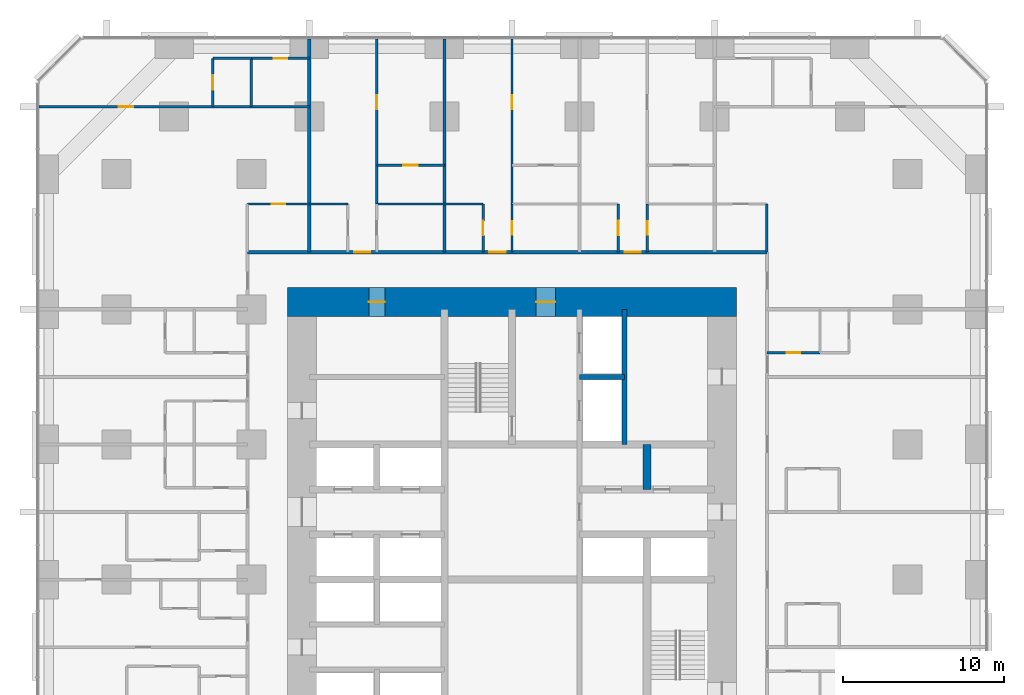
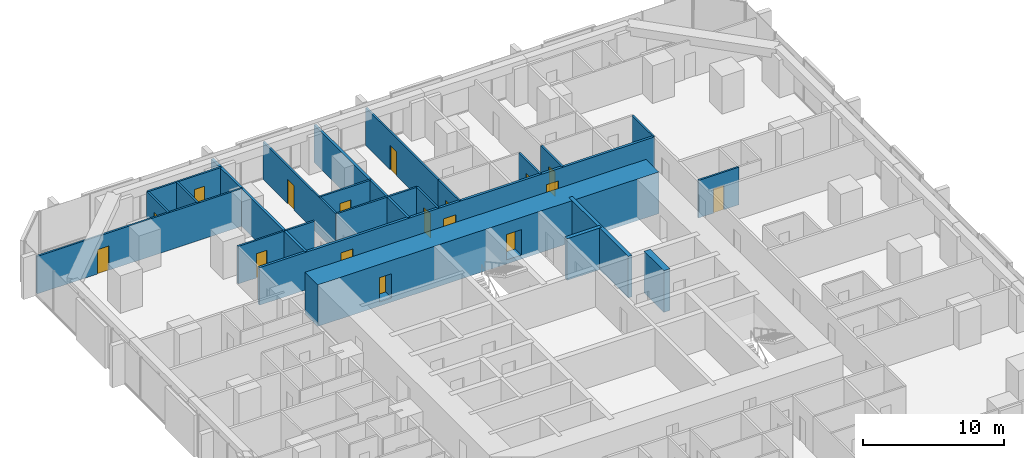
# One storey, part 15 of 17: 24 walls, 17 doors, 17 openings.
"""IFC4 building model written with IfcOpenShell, lengths in metres."""

from ifc_helpers import new_model, si_unit, direction, frame, frame_2d, origin, place, context, subcontext, project, spatial, rectangle, extrude, material, layer, layer_set, type_object, element, fill, save


model = new_model("IFC4")

# Units and contexts
model_context = context("Model", 3, precision=1e-05, world=origin(), true_north=direction((0.0, 1.0)))
body_context = subcontext(model_context, "Body", "Model", "MODEL_VIEW")
ifc_project = project(units=[si_unit("LENGTHUNIT", "METRE"), si_unit("AREAUNIT", "SQUARE_METRE"), si_unit("VOLUMEUNIT", "CUBIC_METRE"), si_unit("PLANEANGLEUNIT", "RADIAN"), si_unit("MASSUNIT", "GRAM", prefix="KILO")], contexts=[model_context])

# Site, building, storey
site_placement = place(None, origin())
site = spatial("IfcSite", under=ifc_project, at=site_placement, CompositionType="ELEMENT")
building_placement = place(site_placement, origin())
building = spatial("IfcBuilding", under=site, at=building_placement, Name="Dunama Terrace Hotel", CompositionType="ELEMENT")
storey_placement = place(building_placement, frame((0.0, 0.0, 48.60009765625)))
storey = spatial("IfcBuildingStorey", under=building, at=storey_placement, Name="L11", CompositionType="ELEMENT", Elevation=48.60009765625)

# Wall, opening, door
ifc_material_1 = material(Name="Gypsum board partition", Category="masonry")
ifc_layer_1 = layer(ifc_material_1, 0.14990234375)
ifc_layer_set_1 = layer_set([ifc_layer_1], Name="Bathroom partition 150")
wall_type_1 = type_object("IfcWallType", Name="Bathroom partition 150", PredefinedType="PARTITIONING", material=ifc_layer_set_1)
wall_1_placement = place(storey_placement, frame((29.39990234375, 45.550048828125, 0.0), z_axis=(0.0, 0.0, 1.0), x_axis=(0.0, 1.0, 0.0)))
wall_1 = element("IfcWall", 1, at=wall_1_placement, inside=storey, type_object=wall_type_1, Name="Bathroom partition 150 L11", PredefinedType="PARTITIONING", context=body_context, shape_type="SweptSolid", body=[
    extrude(rectangle(XDim=3.0, YDim=0.14990234375, at=frame_2d((1.5, 0.0))), origin(), (0.0, 0.0, 1.0), 3.25),
])
opening_1_placement = place(wall_1_placement, frame((1.074951171875, 0.0, 0.0)))
opening_1 = element("IfcOpeningElement", 2, at=opening_1_placement, cuts=wall_1, Name="Opening L10-11-041", PredefinedType="OPENING", context=body_context, shape_type="SweptSolid", body=[
    extrude(rectangle(XDim=0.85009765625, YDim=2.10009765625, at=frame_2d((0.425048828125, 1.050048828125))), frame((0.0, 0.0849609375, 0.0), z_axis=(0.0, -1.0, 0.0), x_axis=(1.0, 0.0, 0.0)), (0.0, 0.0, 1.0), 0.169921875),
])
ifc_material_2 = material(Name="Timber door with steel frame", Category="steel")
door_type_1 = type_object("IfcDoorType", Name="Bathroom door 850", OperationType="SINGLE_SWING_LEFT", PredefinedType="DOOR", material=ifc_material_2)
door_1_placement = place(opening_1_placement, frame((0.85009765625, 0.0, 0.0), z_axis=(0.0, 0.0, 1.0), x_axis=(-1.0, 0.0, 0.0)))
door_1 = element("IfcDoor", 3, at=door_1_placement, inside=storey, type_object=door_type_1, Name="Door to residence bathroom L10-11-041, type D2", OperationType="SINGLE_SWING_RIGHT", OverallHeight=2.10009765625, OverallWidth=0.85009765625, PredefinedType="DOOR", context=body_context, shape_type="SweptSolid", body=[
    extrude(rectangle(XDim=0.85009765625, YDim=2.10009765625, at=frame_2d((0.425048828125, 1.050048828125))), frame((0.0, 0.025146484375, 0.0), z_axis=(0.0, -1.0, 0.0), x_axis=(1.0, 0.0, 0.0)), (0.0, 0.0, 1.0), 0.050048828125),
])
fill(opening_1, door_1)

wall_2_placement = place(storey_placement, frame((37.800048828125, 45.550048828125, 0.0), z_axis=(0.0, 0.0, 1.0), x_axis=(0.0, 1.0, 0.0)))
wall_2 = element("IfcWall", 4, at=wall_2_placement, inside=storey, type_object=wall_type_1, Name="Bathroom partition 150 L11", PredefinedType="PARTITIONING", context=body_context, shape_type="SweptSolid", body=[
    extrude(rectangle(XDim=3.0, YDim=0.14990234375, at=frame_2d((1.5, 0.0))), origin(), (0.0, 0.0, 1.0), 3.25),
])
opening_2_placement = place(wall_2_placement, frame((1.074951171875, 0.0, 0.0)))
opening_2 = element("IfcOpeningElement", 5, at=opening_2_placement, cuts=wall_2, Name="Opening L10-11-046", PredefinedType="OPENING", context=body_context, shape_type="SweptSolid", body=[
    extrude(rectangle(XDim=0.85009765625, YDim=2.10009765625, at=frame_2d((0.425048828125, 1.050048828125))), frame((0.0, 0.0849609375, 0.0), z_axis=(0.0, -1.0, 0.0), x_axis=(1.0, 0.0, 0.0)), (0.0, 0.0, 1.0), 0.169921875),
])
door_2_placement = place(opening_2_placement, frame((0.85009765625, 0.0, 0.0), z_axis=(0.0, 0.0, 1.0), x_axis=(-1.0, 0.0, 0.0)))
door_2 = element("IfcDoor", 6, at=door_2_placement, inside=storey, type_object=door_type_1, Name="Door to residence bathroom L10-11-046, type D2", OperationType="SINGLE_SWING_RIGHT", OverallHeight=2.10009765625, OverallWidth=0.85009765625, PredefinedType="DOOR", context=body_context, shape_type="SweptSolid", body=[
    extrude(rectangle(XDim=0.85009765625, YDim=2.10009765625, at=frame_2d((0.425048828125, 1.050048828125))), frame((0.0, 0.025146484375, 0.0), z_axis=(0.0, -1.0, 0.0), x_axis=(1.0, 0.0, 0.0)), (0.0, 0.0, 1.0), 0.050048828125),
])
fill(opening_2, door_2)

# Wall
wall_3_placement = place(storey_placement, frame((45.25, 45.550048828125, 0.0), z_axis=(0.0, 0.0, 1.0), x_axis=(0.0, 1.0, 0.0)))
element("IfcWall", 7, at=wall_3_placement, inside=storey, type_object=wall_type_1, Name="Bathroom partition 150 L11", PredefinedType="PARTITIONING", context=body_context, shape_type="SweptSolid", body=[
    extrude(rectangle(XDim=3.0, YDim=0.14990234375, at=frame_2d((1.5, 0.0))), origin(), (0.0, 0.0, 1.0), 3.25),
])

# Wall, opening, door
wall_4_placement = place(storey_placement, frame((45.25, 39.300048828125, 0.0), z_axis=(0.0, 0.0, 1.0), x_axis=(1.0, 0.0, 0.0)))
wall_4 = element("IfcWall", 8, at=wall_4_placement, inside=storey, type_object=wall_type_1, Name="Bathroom partition 150 L11", PredefinedType="PARTITIONING", context=body_context, shape_type="SweptSolid", body=[
    extrude(rectangle(XDim=3.300048828125, YDim=0.14990234375, at=frame_2d((1.64990234375, 0.0))), origin(), (0.0, 0.0, 1.0), 3.25),
])
opening_3_placement = place(wall_4_placement, frame((1.22509765625, 0.0, 0.0)))
opening_3 = element("IfcOpeningElement", 9, at=opening_3_placement, cuts=wall_4, Name="Opening L10-11-032", PredefinedType="OPENING", context=body_context, shape_type="SweptSolid", body=[
    extrude(rectangle(XDim=0.85009765625, YDim=2.10009765625, at=frame_2d((0.425048828125, 1.050048828125))), frame((0.0, 0.0849609375, 0.0), z_axis=(0.0, -1.0, 0.0), x_axis=(1.0, 0.0, 0.0)), (0.0, 0.0, 1.0), 0.169921875),
])
door_3_placement = place(opening_3_placement, origin())
door_3 = element("IfcDoor", 10, at=door_3_placement, inside=storey, type_object=door_type_1, Name="Door to en-suite bathroom L10-11-032, type D2", OperationType="SINGLE_SWING_LEFT", OverallHeight=2.10009765625, OverallWidth=0.85009765625, PredefinedType="DOOR", context=body_context, shape_type="SweptSolid", body=[
    extrude(rectangle(XDim=0.85009765625, YDim=2.10009765625, at=frame_2d((0.425048828125, 1.050048828125))), frame((0.0, 0.02490234375, 0.0), z_axis=(0.0, -1.0, 0.0), x_axis=(1.0, 0.0, 0.0)), (0.0, 0.0, 1.0), 0.050048828125),
])
fill(opening_3, door_3)

wall_5_placement = place(storey_placement, frame((12.949951171875, 48.550048828125, 0.0), z_axis=(0.0, 0.0, 1.0), x_axis=(1.0, 0.0, 0.0)))
wall_5 = element("IfcWall", 11, at=wall_5_placement, inside=storey, type_object=wall_type_1, Name="Bathroom partition 150 L11", PredefinedType="PARTITIONING", context=body_context, shape_type="SweptSolid", body=[
    extrude(rectangle(XDim=3.85009765625, YDim=0.14990234375, at=frame_2d((1.925048828125, 0.0))), origin(), (0.0, 0.0, 1.0), 3.25),
])
opening_4_placement = place(wall_5_placement, frame((1.5, 0.0, 0.0)))
opening_4 = element("IfcOpeningElement", 12, at=opening_4_placement, cuts=wall_5, Name="Opening L10-11-083", PredefinedType="OPENING", context=body_context, shape_type="SweptSolid", body=[
    extrude(rectangle(XDim=0.85009765625, YDim=2.10009765625, at=frame_2d((0.425048828125, 1.050048828125))), frame((0.0, 0.0849609375, 0.0), z_axis=(0.0, -1.0, 0.0), x_axis=(1.0, 0.0, 0.0)), (0.0, 0.0, 1.0), 0.169921875),
])
door_4_placement = place(opening_4_placement, frame((0.85009765625, 0.0, 0.0), z_axis=(0.0, 0.0, 1.0), x_axis=(-1.0, 0.0, 0.0)))
door_4 = element("IfcDoor", 13, at=door_4_placement, inside=storey, type_object=door_type_1, Name="Door to powder room L10-11-083, type D2", OperationType="SINGLE_SWING_RIGHT", OverallHeight=2.10009765625, OverallWidth=0.85009765625, PredefinedType="DOOR", context=body_context, shape_type="SweptSolid", body=[
    extrude(rectangle(XDim=0.85009765625, YDim=2.10009765625, at=frame_2d((0.425048828125, 1.050048828125))), frame((0.0, 0.025146484375, 0.0), z_axis=(0.0, -1.0, 0.0), x_axis=(1.0, 0.0, 0.0)), (0.0, 0.0, 1.0), 0.050048828125),
])
fill(opening_4, door_4)

wall_6_placement = place(storey_placement, frame((13.199951171875, 57.60009765625, 0.0), z_axis=(0.0, 0.0, 1.0), x_axis=(1.0, 0.0, 0.0)))
wall_6 = element("IfcWall", 14, at=wall_6_placement, inside=storey, type_object=wall_type_1, Name="Bathroom partition 150 L11", PredefinedType="PARTITIONING", context=body_context, shape_type="SweptSolid", body=[
    extrude(rectangle(XDim=3.60009765625, YDim=0.14990234375, at=frame_2d((1.800048828125, 0.0))), origin(), (0.0, 0.0, 1.0), 3.25),
])
opening_5_placement = place(wall_6_placement, frame((1.375, 0.0, 0.0)))
opening_5 = element("IfcOpeningElement", 15, at=opening_5_placement, cuts=wall_6, Name="Opening L10-11-085", PredefinedType="OPENING", context=body_context, shape_type="SweptSolid", body=[
    extrude(rectangle(XDim=0.85009765625, YDim=2.10009765625, at=frame_2d((0.425048828125, 1.050048828125))), frame((0.0, 0.0849609375, 0.0), z_axis=(0.0, -1.0, 0.0), x_axis=(1.0, 0.0, 0.0)), (0.0, 0.0, 1.0), 0.169921875),
])
door_5_placement = place(opening_5_placement, frame((0.85009765625, 0.0, 0.0), z_axis=(0.0, 0.0, 1.0), x_axis=(-1.0, 0.0, 0.0)))
door_5 = element("IfcDoor", 16, at=door_5_placement, inside=storey, type_object=door_type_1, Name="Door to en-suite bathroom L10-11-085, type D2", OperationType="SINGLE_SWING_LEFT", OverallHeight=2.10009765625, OverallWidth=0.85009765625, PredefinedType="DOOR", context=body_context, shape_type="SweptSolid", body=[
    extrude(rectangle(XDim=0.85009765625, YDim=2.10009765625, at=frame_2d((0.425048828125, 1.050048828125))), frame((0.0, 0.025146484375, 0.0), z_axis=(0.0, -1.0, 0.0), x_axis=(1.0, 0.0, 0.0)), (0.0, 0.0, 1.0), 0.050048828125),
])
fill(opening_5, door_5)

# Walls
ifc_material_3 = material(Name="Concrete C50/60", Category="concrete")
ifc_layer_2 = layer(ifc_material_3, 0.300048828125)
ifc_layer_set_2 = layer_set([ifc_layer_2], Name="Core inner wall 300")
wall_type_2 = type_object("IfcWallType", Name="Core inner wall 300", PredefinedType="SHEAR", material=ifc_layer_set_2)
wall_7_placement = place(storey_placement, frame((36.39990234375, 33.60009765625, -0.35009765625), z_axis=(0.0, 0.0, 1.0), x_axis=(0.0, 1.0, 0.0)))
element("IfcWall", 17, at=wall_7_placement, inside=storey, type_object=wall_type_2, Name="Core inner wall 300 L11", PredefinedType="SHEAR", context=body_context, shape_type="SweptSolid", body=[
    extrude(rectangle(XDim=8.39990234375, YDim=0.300048828125, at=frame_2d((4.199951171875, 0.0))), origin(), (0.0, 0.0, 1.0), 3.60009765625),
])
wall_8_placement = place(storey_placement, frame((33.60009765625, 37.800048828125, -0.35009765625), z_axis=(0.0, 0.0, 1.0), x_axis=(1.0, 0.0, 0.0)))
element("IfcWall", 18, at=wall_8_placement, inside=storey, type_object=wall_type_2, Name="Core inner wall 300 L11", PredefinedType="SHEAR", context=body_context, shape_type="SweptSolid", body=[
    extrude(rectangle(XDim=2.7998046875, YDim=0.300048828125, at=frame_2d((1.39990234375, 0.0))), origin(), (0.0, 0.0, 1.0), 3.60009765625),
])
ifc_material_4 = material(Name="Concrete C50/60", Category="concrete")
ifc_layer_3 = layer(ifc_material_4, 0.5)
ifc_layer_set_3 = layer_set([ifc_layer_3], Name="Core inner wall 500")
wall_type_3 = type_object("IfcWallType", Name="Core inner wall 500", PredefinedType="SHEAR", material=ifc_layer_set_3)
wall_9_placement = place(storey_placement, frame((37.800048828125, 30.800048828125, -0.35009765625), z_axis=(0.0, 0.0, 1.0), x_axis=(0.0, 1.0, 0.0)))
element("IfcWall", 19, at=wall_9_placement, inside=storey, type_object=wall_type_3, Name="Core inner wall 500 L11", PredefinedType="SHEAR", context=body_context, shape_type="SweptSolid", body=[
    extrude(rectangle(XDim=2.800048828125, YDim=0.5, at=frame_2d((1.39990234375, 0.0))), origin(), (0.0, 0.0, 1.0), 3.60009765625),
])

# Wall, openings, doors
ifc_material_5 = material(Name="Concrete C60/75", Category="concrete")
ifc_layer_4 = layer(ifc_material_5, 1.800048828125)
ifc_layer_set_4 = layer_set([ifc_layer_4], Name="Core wall 1800")
wall_type_4 = type_object("IfcWallType", Name="Core wall 1800", PredefinedType="SHEAR", material=ifc_layer_set_4)
wall_10_placement = place(storey_placement, frame((43.35009765625, 42.449951171875, -0.35009765625), z_axis=(0.0, 0.0, 1.0), x_axis=(-1.0, 0.0, 0.0)))
wall_10 = element("IfcWall", 20, at=wall_10_placement, inside=storey, type_object=wall_type_4, Name="Core wall north L11", PredefinedType="SHEAR", context=body_context, shape_type="SweptSolid", body=[
    extrude(rectangle(XDim=27.900146484375, YDim=1.800048828125, at=frame_2d((13.9501953125, 0.0))), origin(), (0.0, 0.0, 1.0), 3.60009765625),
])
opening_6_placement = place(wall_10_placement, frame((21.85009765625, 0.0, 0.35009765625)))
opening_6 = element("IfcOpeningElement", 21, at=opening_6_placement, cuts=wall_10, Name="Opening L10-11-090", PredefinedType="OPENING", context=body_context, shape_type="SweptSolid", body=[
    extrude(rectangle(XDim=1.0, YDim=2.10009765625, at=frame_2d((0.5, 1.050048828125))), frame((0.0, 0.909912109375, 0.0), z_axis=(0.0, -1.0, 0.0), x_axis=(1.0, 0.0, 0.0)), (0.0, 0.0, 1.0), 1.820068359375),
])
opening_7_placement = place(wall_10_placement, frame((11.25, 0.0, 0.35009765625)))
opening_7 = element("IfcOpeningElement", 22, at=opening_7_placement, cuts=wall_10, Name="Opening L10-11-095", PredefinedType="OPENING", context=body_context, shape_type="SweptSolid", body=[
    extrude(rectangle(XDim=1.199951171875, YDim=2.199951171875, at=frame_2d((0.60009765625, 1.10009765625))), frame((0.0, 0.909912109375, 0.0), z_axis=(0.0, -1.0, 0.0), x_axis=(1.0, 0.0, 0.0)), (0.0, 0.0, 1.0), 1.820068359375),
])
ifc_material_6 = material(Name="Timber door with steel frame", Category="steel")
door_type_2 = type_object("IfcDoorType", Name="Firefighting lobby door 1200", OperationType="SINGLE_SWING_LEFT", PredefinedType="DOOR", material=ifc_material_6)
door_6_placement = place(opening_7_placement, origin())
door_6 = element("IfcDoor", 23, at=door_6_placement, inside=storey, type_object=door_type_2, Name="Door to firefighting lobby L10-11-095, type D4", OperationType="SINGLE_SWING_RIGHT", OverallHeight=2.199951171875, OverallWidth=1.199951171875, PredefinedType="DOOR", context=body_context, shape_type="SweptSolid", body=[
    extrude(rectangle(XDim=1.199951171875, YDim=2.199951171875, at=frame_2d((0.60009765625, 1.10009765625))), frame((0.0, 0.02490234375, 0.0), z_axis=(0.0, -1.0, 0.0), x_axis=(1.0, 0.0, 0.0)), (0.0, 0.0, 1.0), 0.050048828125),
])
fill(opening_7, door_6)
ifc_material_7 = material(Name="Timber door with steel frame", Category="steel")
door_type_3 = type_object("IfcDoorType", Name="Service door 1000", OperationType="SINGLE_SWING_LEFT", PredefinedType="DOOR", material=ifc_material_7)
door_7_placement = place(opening_6_placement, origin())
door_7 = element("IfcDoor", 24, at=door_7_placement, inside=storey, type_object=door_type_3, Name="Door to communications and riser room L10-11-090, type D7", OperationType="SINGLE_SWING_LEFT", OverallHeight=2.10009765625, OverallWidth=1.0, PredefinedType="DOOR", context=body_context, shape_type="SweptSolid", body=[
    extrude(rectangle(XDim=1.0, YDim=2.10009765625, at=frame_2d((0.5, 1.050048828125))), frame((0.0, 0.02490234375, 0.0), z_axis=(0.0, -1.0, 0.0), x_axis=(1.0, 0.0, 0.0)), (0.0, 0.0, 1.0), 0.050048828125),
])
fill(opening_6, door_7)

ifc_material_8 = material(Name="Concrete blockwork", Category="masonry")
ifc_layer_5 = layer(ifc_material_8, 0.199951171875)
ifc_layer_set_5 = layer_set([ifc_layer_5], Name="Corridor partition 200")
wall_type_5 = type_object("IfcWallType", Name="Corridor partition 200", PredefinedType="PARTITIONING", material=ifc_layer_set_5)
wall_11_placement = place(storey_placement, frame((12.949951171875, 45.550048828125, 0.0), z_axis=(0.0, 0.0, 1.0), x_axis=(1.0, 0.0, 0.0)))
wall_11 = element("IfcWall", 25, at=wall_11_placement, inside=storey, type_object=wall_type_5, Name="Corridor partition 200 L11", PredefinedType="PARTITIONING", context=body_context, shape_type="SweptSolid", body=[
    extrude(rectangle(XDim=32.300048828125, YDim=0.199951171875, at=frame_2d((16.14990234375, 0.0))), origin(), (0.0, 0.0, 1.0), 3.25),
])
opening_8_placement = place(wall_11_placement, frame((6.64990234375, 0.0, 0.0)))
opening_8 = element("IfcOpeningElement", 26, at=opening_8_placement, cuts=wall_11, Name="Opening L10-11-034", PredefinedType="OPENING", context=body_context, shape_type="SweptSolid", body=[
    extrude(rectangle(XDim=1.0, YDim=2.199951171875, at=frame_2d((0.5, 1.10009765625))), frame((0.0, 0.10986328125, 0.0), z_axis=(0.0, -1.0, 0.0), x_axis=(1.0, 0.0, 0.0)), (0.0, 0.0, 1.0), 0.219970703125),
])
opening_9_placement = place(wall_11_placement, frame((15.050048828125, 0.0, 0.0)))
opening_9 = element("IfcOpeningElement", 27, at=opening_9_placement, cuts=wall_11, Name="Opening L10-11-039", PredefinedType="OPENING", context=body_context, shape_type="SweptSolid", body=[
    extrude(rectangle(XDim=1.0, YDim=2.199951171875, at=frame_2d((0.5, 1.10009765625))), frame((0.0, 0.10986328125, 0.0), z_axis=(0.0, -1.0, 0.0), x_axis=(1.0, 0.0, 0.0)), (0.0, 0.0, 1.0), 0.219970703125),
])
opening_10_placement = place(wall_11_placement, frame((23.449951171875, 0.0, 0.0)))
opening_10 = element("IfcOpeningElement", 28, at=opening_10_placement, cuts=wall_11, Name="Opening L10-11-044", PredefinedType="OPENING", context=body_context, shape_type="SweptSolid", body=[
    extrude(rectangle(XDim=1.0, YDim=2.199951171875, at=frame_2d((0.5, 1.10009765625))), frame((0.0, 0.10986328125, 0.0), z_axis=(0.0, -1.0, 0.0), x_axis=(1.0, 0.0, 0.0)), (0.0, 0.0, 1.0), 0.219970703125),
])
ifc_material_9 = material(Name="Timber door with steel frame", Category="steel")
door_type_4 = type_object("IfcDoorType", Name="Guest room door 1000", OperationType="SINGLE_SWING_LEFT", PredefinedType="DOOR", material=ifc_material_9)
door_8_placement = place(opening_8_placement, origin())
door_8 = element("IfcDoor", 29, at=door_8_placement, inside=storey, type_object=door_type_4, Name="Door to residence living room L10-11-034, type D1", OperationType="SINGLE_SWING_RIGHT", OverallHeight=2.199951171875, OverallWidth=1.0, PredefinedType="DOOR", context=body_context, shape_type="SweptSolid", body=[
    extrude(rectangle(XDim=1.0, YDim=2.199951171875, at=frame_2d((0.5, 1.10009765625))), frame((0.0, 0.02490234375, 0.0), z_axis=(0.0, -1.0, 0.0), x_axis=(1.0, 0.0, 0.0)), (0.0, 0.0, 1.0), 0.050048828125),
])
fill(opening_8, door_8)
door_9_placement = place(opening_9_placement, origin())
door_9 = element("IfcDoor", 30, at=door_9_placement, inside=storey, type_object=door_type_4, Name="Door to residence living room L10-11-039, type D1", OperationType="SINGLE_SWING_LEFT", OverallHeight=2.199951171875, OverallWidth=1.0, PredefinedType="DOOR", context=body_context, shape_type="SweptSolid", body=[
    extrude(rectangle(XDim=1.0, YDim=2.199951171875, at=frame_2d((0.5, 1.10009765625))), frame((0.0, 0.02490234375, 0.0), z_axis=(0.0, -1.0, 0.0), x_axis=(1.0, 0.0, 0.0)), (0.0, 0.0, 1.0), 0.050048828125),
])
fill(opening_9, door_9)
door_10_placement = place(opening_10_placement, origin())
door_10 = element("IfcDoor", 31, at=door_10_placement, inside=storey, type_object=door_type_4, Name="Door to residence living room L10-11-044, type D1", OperationType="SINGLE_SWING_LEFT", OverallHeight=2.199951171875, OverallWidth=1.0, PredefinedType="DOOR", context=body_context, shape_type="SweptSolid", body=[
    extrude(rectangle(XDim=1.0, YDim=2.199951171875, at=frame_2d((0.5, 1.10009765625))), frame((0.0, 0.02490234375, 0.0), z_axis=(0.0, -1.0, 0.0), x_axis=(1.0, 0.0, 0.0)), (0.0, 0.0, 1.0), 0.050048828125),
])
fill(opening_10, door_10)

# Walls
ifc_material_10 = material(Name="Concrete blockwork", Category="masonry")
ifc_layer_6 = layer(ifc_material_10, 0.199951171875)
ifc_layer_set_6 = layer_set([ifc_layer_6], Name="Party wall 200")
wall_type_6 = type_object("IfcWallType", Name="Party wall 200", PredefinedType="PARTITIONING", material=ifc_layer_set_6)
for number, where, z_axis, x_axis, name in (
    (32, (16.800048828125, 45.550048828125, 0.0), (0.0, 0.0, 1.0), (0.0, 1.0, 0.0), "Party wall 200 L11"),
    (33, (25.199951171875, 45.550048828125, 0.0), (0.0, 0.0, 1.0), (0.0, 1.0, 0.0), "Party wall 200 L11"),
):
    element("IfcWall", number, at=place(storey_placement, frame(where, z_axis=z_axis, x_axis=x_axis)), inside=storey, type_object=wall_type_6, Name=name, PredefinedType="PARTITIONING", context=body_context, shape_type="SweptSolid", body=[
        extrude(rectangle(XDim=13.258056640625, YDim=0.199951171875, at=frame_2d((6.62890625, 0.0))), origin(), (0.0, 0.0, 1.0), 3.25),
    ])

# Wall, opening, door
ifc_material_11 = material(Name="Gypsum board partition", Category="masonry")
ifc_layer_7 = layer(ifc_material_11, 0.14990234375)
ifc_layer_set_7 = layer_set([ifc_layer_7], Name="Room partition 150")
wall_type_7 = type_object("IfcWallType", Name="Room partition 150", PredefinedType="PARTITIONING", material=ifc_layer_set_7)
wall_12_placement = place(storey_placement, frame((10.800048828125, 54.60009765625, 0.0), z_axis=(0.0, 0.0, 1.0), x_axis=(0.0, 1.0, 0.0)))
wall_12 = element("IfcWall", 34, at=wall_12_placement, inside=storey, type_object=wall_type_7, Name="Room partition 150 L11", PredefinedType="PARTITIONING", context=body_context, shape_type="SweptSolid", body=[
    extrude(rectangle(XDim=3.0, YDim=0.14990234375, at=frame_2d((1.5, 0.0))), origin(), (0.0, 0.0, 1.0), 3.25),
])
opening_11_placement = place(wall_12_placement, frame((1.050048828125, 0.0, 0.0)))
opening_11 = element("IfcOpeningElement", 35, at=opening_11_placement, cuts=wall_12, Name="Opening L10-11-086", PredefinedType="OPENING", context=body_context, shape_type="SweptSolid", body=[
    extrude(rectangle(XDim=0.89990234375, YDim=2.10009765625, at=frame_2d((0.449951171875, 1.050048828125))), frame((0.0, 0.0849609375, 0.0), z_axis=(0.0, -1.0, 0.0), x_axis=(1.0, 0.0, 0.0)), (0.0, 0.0, 1.0), 0.169921875),
])
ifc_material_12 = material(Name="Timber door with steel frame", Category="steel")
door_type_5 = type_object("IfcDoorType", Name="Suite internal door 900", OperationType="SINGLE_SWING_LEFT", PredefinedType="DOOR", material=ifc_material_12)
door_11_placement = place(opening_11_placement, frame((0.89990234375, 0.0, 0.0), z_axis=(0.0, 0.0, 1.0), x_axis=(-1.0, 0.0, 0.0)))
door_11 = element("IfcDoor", 36, at=door_11_placement, inside=storey, type_object=door_type_5, Name="Door to dressing room L10-11-086, type D16", OperationType="SINGLE_SWING_RIGHT", OverallHeight=2.10009765625, OverallWidth=0.89990234375, PredefinedType="DOOR", context=body_context, shape_type="SweptSolid", body=[
    extrude(rectangle(XDim=0.89990234375, YDim=2.10009765625, at=frame_2d((0.449951171875, 1.050048828125))), frame((0.0, 0.025146484375, 0.0), z_axis=(0.0, -1.0, 0.0), x_axis=(1.0, 0.0, 0.0)), (0.0, 0.0, 1.0), 0.050048828125),
])
fill(opening_11, door_11)

# Wall
wall_13_placement = place(storey_placement, frame((13.199951171875, 54.60009765625, 0.0), z_axis=(0.0, 0.0, 1.0), x_axis=(0.0, 1.0, 0.0)))
element("IfcWall", 37, at=wall_13_placement, inside=storey, type_object=wall_type_7, Name="Room partition 150 L11", PredefinedType="PARTITIONING", context=body_context, shape_type="SweptSolid", body=[
    extrude(rectangle(XDim=3.0, YDim=0.14990234375, at=frame_2d((1.5, 0.0))), origin(), (0.0, 0.0, 1.0), 3.25),
])

# Wall, opening, door
wall_14_placement = place(storey_placement, frame((21.0, 48.550048828125, 0.0), z_axis=(0.0, 0.0, 1.0), x_axis=(0.0, 1.0, 0.0)))
wall_14 = element("IfcWall", 38, at=wall_14_placement, inside=storey, type_object=wall_type_7, Name="Room partition 150 L11", PredefinedType="PARTITIONING", context=body_context, shape_type="SweptSolid", body=[
    extrude(rectangle(XDim=10.258056640625, YDim=0.14990234375, at=frame_2d((5.12890625, 0.0))), origin(), (0.0, 0.0, 1.0), 3.25),
])
opening_12_placement = place(wall_14_placement, frame((5.875, 0.0, 0.0)))
opening_12 = element("IfcOpeningElement", 39, at=opening_12_placement, cuts=wall_14, Name="Opening L10-11-038", PredefinedType="OPENING", context=body_context, shape_type="SweptSolid", body=[
    extrude(rectangle(XDim=0.89990234375, YDim=2.10009765625, at=frame_2d((0.449951171875, 1.050048828125))), frame((0.0, 0.0849609375, 0.0), z_axis=(0.0, -1.0, 0.0), x_axis=(1.0, 0.0, 0.0)), (0.0, 0.0, 1.0), 0.169921875),
])
door_12_placement = place(opening_12_placement, frame((0.89990234375, 0.0, 0.0), z_axis=(0.0, 0.0, 1.0), x_axis=(-1.0, 0.0, 0.0)))
door_12 = element("IfcDoor", 40, at=door_12_placement, inside=storey, type_object=door_type_5, Name="Door to residence bedroom L10-11-038, type D16", OperationType="SINGLE_SWING_RIGHT", OverallHeight=2.10009765625, OverallWidth=0.89990234375, PredefinedType="DOOR", context=body_context, shape_type="SweptSolid", body=[
    extrude(rectangle(XDim=0.89990234375, YDim=2.10009765625, at=frame_2d((0.449951171875, 1.050048828125))), frame((0.0, 0.025146484375, 0.0), z_axis=(0.0, -1.0, 0.0), x_axis=(1.0, 0.0, 0.0)), (0.0, 0.0, 1.0), 0.050048828125),
])
fill(opening_12, door_12)

wall_15_placement = place(storey_placement, frame((27.60009765625, 45.550048828125, 0.0), z_axis=(0.0, 0.0, 1.0), x_axis=(0.0, 1.0, 0.0)))
wall_15 = element("IfcWall", 41, at=wall_15_placement, inside=storey, type_object=wall_type_7, Name="Room partition 150 L11", PredefinedType="PARTITIONING", context=body_context, shape_type="SweptSolid", body=[
    extrude(rectangle(XDim=3.0, YDim=0.14990234375, at=frame_2d((1.5, 0.0))), origin(), (0.0, 0.0, 1.0), 3.25),
])
opening_13_placement = place(wall_15_placement, frame((1.050048828125, 0.0, 0.0)))
opening_13 = element("IfcOpeningElement", 42, at=opening_13_placement, cuts=wall_15, Name="Opening L10-11-040", PredefinedType="OPENING", context=body_context, shape_type="SweptSolid", body=[
    extrude(rectangle(XDim=0.89990234375, YDim=2.10009765625, at=frame_2d((0.449951171875, 1.050048828125))), frame((0.0, 0.0849609375, 0.0), z_axis=(0.0, -1.0, 0.0), x_axis=(1.0, 0.0, 0.0)), (0.0, 0.0, 1.0), 0.169921875),
])
door_13_placement = place(opening_13_placement, origin())
door_13 = element("IfcDoor", 43, at=door_13_placement, inside=storey, type_object=door_type_5, Name="Door to residence kitchen L10-11-040, type D16", OperationType="SINGLE_SWING_LEFT", OverallHeight=2.10009765625, OverallWidth=0.89990234375, PredefinedType="DOOR", context=body_context, shape_type="SweptSolid", body=[
    extrude(rectangle(XDim=0.89990234375, YDim=2.10009765625, at=frame_2d((0.449951171875, 1.050048828125))), frame((0.0, 0.02490234375, 0.0), z_axis=(0.0, -1.0, 0.0), x_axis=(1.0, 0.0, 0.0)), (0.0, 0.0, 1.0), 0.050048828125),
])
fill(opening_13, door_13)

wall_16_placement = place(storey_placement, frame((29.39990234375, 48.550048828125, 0.0), z_axis=(0.0, 0.0, 1.0), x_axis=(0.0, 1.0, 0.0)))
wall_16 = element("IfcWall", 44, at=wall_16_placement, inside=storey, type_object=wall_type_7, Name="Room partition 150 L11", PredefinedType="PARTITIONING", context=body_context, shape_type="SweptSolid", body=[
    extrude(rectangle(XDim=10.258056640625, YDim=0.14990234375, at=frame_2d((5.12890625, 0.0))), origin(), (0.0, 0.0, 1.0), 3.25),
])
opening_14_placement = place(wall_16_placement, frame((5.875, 0.0, 0.0)))
opening_14 = element("IfcOpeningElement", 45, at=opening_14_placement, cuts=wall_16, Name="Opening L10-11-043", PredefinedType="OPENING", context=body_context, shape_type="SweptSolid", body=[
    extrude(rectangle(XDim=0.89990234375, YDim=2.10009765625, at=frame_2d((0.449951171875, 1.050048828125))), frame((0.0, 0.0849609375, 0.0), z_axis=(0.0, -1.0, 0.0), x_axis=(1.0, 0.0, 0.0)), (0.0, 0.0, 1.0), 0.169921875),
])
door_14_placement = place(opening_14_placement, frame((0.89990234375, 0.0, 0.0), z_axis=(0.0, 0.0, 1.0), x_axis=(-1.0, 0.0, 0.0)))
door_14 = element("IfcDoor", 46, at=door_14_placement, inside=storey, type_object=door_type_5, Name="Door to residence bedroom L10-11-043, type D16", OperationType="SINGLE_SWING_RIGHT", OverallHeight=2.10009765625, OverallWidth=0.89990234375, PredefinedType="DOOR", context=body_context, shape_type="SweptSolid", body=[
    extrude(rectangle(XDim=0.89990234375, YDim=2.10009765625, at=frame_2d((0.449951171875, 1.050048828125))), frame((0.0, 0.025146484375, 0.0), z_axis=(0.0, -1.0, 0.0), x_axis=(1.0, 0.0, 0.0)), (0.0, 0.0, 1.0), 0.050048828125),
])
fill(opening_14, door_14)

wall_17_placement = place(storey_placement, frame((36.0, 45.550048828125, 0.0), z_axis=(0.0, 0.0, 1.0), x_axis=(0.0, 1.0, 0.0)))
wall_17 = element("IfcWall", 47, at=wall_17_placement, inside=storey, type_object=wall_type_7, Name="Room partition 150 L11", PredefinedType="PARTITIONING", context=body_context, shape_type="SweptSolid", body=[
    extrude(rectangle(XDim=3.0, YDim=0.14990234375, at=frame_2d((1.5, 0.0))), origin(), (0.0, 0.0, 1.0), 3.25),
])
opening_15_placement = place(wall_17_placement, frame((1.050048828125, 0.0, 0.0)))
opening_15 = element("IfcOpeningElement", 48, at=opening_15_placement, cuts=wall_17, Name="Opening L10-11-045", PredefinedType="OPENING", context=body_context, shape_type="SweptSolid", body=[
    extrude(rectangle(XDim=0.89990234375, YDim=2.10009765625, at=frame_2d((0.449951171875, 1.050048828125))), frame((0.0, 0.0849609375, 0.0), z_axis=(0.0, -1.0, 0.0), x_axis=(1.0, 0.0, 0.0)), (0.0, 0.0, 1.0), 0.169921875),
])
door_15_placement = place(opening_15_placement, origin())
door_15 = element("IfcDoor", 49, at=door_15_placement, inside=storey, type_object=door_type_5, Name="Door to residence kitchen L10-11-045, type D16", OperationType="SINGLE_SWING_LEFT", OverallHeight=2.10009765625, OverallWidth=0.89990234375, PredefinedType="DOOR", context=body_context, shape_type="SweptSolid", body=[
    extrude(rectangle(XDim=0.89990234375, YDim=2.10009765625, at=frame_2d((0.449951171875, 1.050048828125))), frame((0.0, 0.02490234375, 0.0), z_axis=(0.0, -1.0, 0.0), x_axis=(1.0, 0.0, 0.0)), (0.0, 0.0, 1.0), 0.050048828125),
])
fill(opening_15, door_15)

# Walls
wall_18_placement = place(storey_placement, frame((16.800048828125, 48.550048828125, 0.0), z_axis=(0.0, 0.0, 1.0), x_axis=(1.0, 0.0, 0.0)))
element("IfcWall", 50, at=wall_18_placement, inside=storey, type_object=wall_type_7, Name="Room partition 150 L11", PredefinedType="PARTITIONING", context=body_context, shape_type="SweptSolid", body=[
    extrude(rectangle(XDim=2.39990234375, YDim=0.14990234375, at=frame_2d((1.199951171875, 0.0))), origin(), (0.0, 0.0, 1.0), 3.25),
])
wall_19_placement = place(storey_placement, frame((21.0, 48.550048828125, 0.0), z_axis=(0.0, 0.0, 1.0), x_axis=(1.0, 0.0, 0.0)))
element("IfcWall", 51, at=wall_19_placement, inside=storey, type_object=wall_type_7, Name="Room partition 150 L11", PredefinedType="PARTITIONING", context=body_context, shape_type="SweptSolid", body=[
    extrude(rectangle(XDim=6.60009765625, YDim=0.14990234375, at=frame_2d((3.300048828125, 0.0))), origin(), (0.0, 0.0, 1.0), 3.25),
])

# Wall, opening, door
wall_20_placement = place(storey_placement, frame((21.0, 50.949951171875, 0.0), z_axis=(0.0, 0.0, 1.0), x_axis=(1.0, 0.0, 0.0)))
wall_20 = element("IfcWall", 52, at=wall_20_placement, inside=storey, type_object=wall_type_7, Name="Room partition 150 L11", PredefinedType="PARTITIONING", context=body_context, shape_type="SweptSolid", body=[
    extrude(rectangle(XDim=4.199951171875, YDim=0.14990234375, at=frame_2d((2.10009765625, 0.0))), origin(), (0.0, 0.0, 1.0), 3.25),
])
opening_16_placement = place(wall_20_placement, frame((1.64990234375, 0.0, 0.0)))
opening_16 = element("IfcOpeningElement", 53, at=opening_16_placement, cuts=wall_20, Name="Opening L10-11-037", PredefinedType="OPENING", context=body_context, shape_type="SweptSolid", body=[
    extrude(rectangle(XDim=0.89990234375, YDim=2.10009765625, at=frame_2d((0.449951171875, 1.050048828125))), frame((0.0, 0.0849609375, 0.0), z_axis=(0.0, -1.0, 0.0), x_axis=(1.0, 0.0, 0.0)), (0.0, 0.0, 1.0), 0.169921875),
])
door_16_placement = place(opening_16_placement, frame((0.89990234375, 0.0, 0.0), z_axis=(0.0, 0.0, 1.0), x_axis=(-1.0, 0.0, 0.0)))
door_16 = element("IfcDoor", 54, at=door_16_placement, inside=storey, type_object=door_type_5, Name="Door to walk-in wardrobe L10-11-037, type D16", OperationType="SINGLE_SWING_RIGHT", OverallHeight=2.10009765625, OverallWidth=0.89990234375, PredefinedType="DOOR", context=body_context, shape_type="SweptSolid", body=[
    extrude(rectangle(XDim=0.89990234375, YDim=2.10009765625, at=frame_2d((0.449951171875, 1.050048828125))), frame((0.0, 0.025146484375, 0.0), z_axis=(0.0, -1.0, 0.0), x_axis=(1.0, 0.0, 0.0)), (0.0, 0.0, 1.0), 0.050048828125),
])
fill(opening_16, door_16)

wall_21_placement = place(storey_placement, frame((-0.008056640625, 54.60009765625, 0.0), z_axis=(0.0, 0.0, 1.0), x_axis=(1.0, 0.0, 0.0)))
wall_21 = element("IfcWall", 55, at=wall_21_placement, inside=storey, type_object=wall_type_7, Name="Room partition 150 L11", PredefinedType="PARTITIONING", context=body_context, shape_type="SweptSolid", body=[
    extrude(rectangle(XDim=16.80810546875, YDim=0.14990234375, at=frame_2d((8.404052734375, 0.0))), origin(), (0.0, 0.0, 1.0), 3.25),
])
opening_17_placement = place(wall_21_placement, frame((4.9580078125, 0.0, 0.0)))
opening_17 = element("IfcOpeningElement", 56, at=opening_17_placement, cuts=wall_21, Name="Opening L10-11-084", PredefinedType="OPENING", context=body_context, shape_type="SweptSolid", body=[
    extrude(rectangle(XDim=0.89990234375, YDim=2.10009765625, at=frame_2d((0.449951171875, 1.050048828125))), frame((0.0, 0.0849609375, 0.0), z_axis=(0.0, -1.0, 0.0), x_axis=(1.0, 0.0, 0.0)), (0.0, 0.0, 1.0), 0.169921875),
])
door_17_placement = place(opening_17_placement, origin())
door_17 = element("IfcDoor", 57, at=door_17_placement, inside=storey, type_object=door_type_5, Name="Door to corner suite bedroom L10-11-084, type D16", OperationType="SINGLE_SWING_RIGHT", OverallHeight=2.10009765625, OverallWidth=0.89990234375, PredefinedType="DOOR", context=body_context, shape_type="SweptSolid", body=[
    extrude(rectangle(XDim=0.89990234375, YDim=2.10009765625, at=frame_2d((0.449951171875, 1.050048828125))), frame((0.0, 0.02490234375, 0.0), z_axis=(0.0, -1.0, 0.0), x_axis=(1.0, 0.0, 0.0)), (0.0, 0.0, 1.0), 0.050048828125),
])
fill(opening_17, door_17)

# Wall
wall_22_placement = place(storey_placement, frame((10.800048828125, 57.60009765625, 0.0), z_axis=(0.0, 0.0, 1.0), x_axis=(1.0, 0.0, 0.0)))
element("IfcWall", 58, at=wall_22_placement, inside=storey, type_object=wall_type_7, Name="Room partition 150 L11", PredefinedType="PARTITIONING", context=body_context, shape_type="SweptSolid", body=[
    extrude(rectangle(XDim=2.39990234375, YDim=0.14990234375, at=frame_2d((1.199951171875, 0.0))), origin(), (0.0, 0.0, 1.0), 3.25),
])

save(model, "model.ifc")
